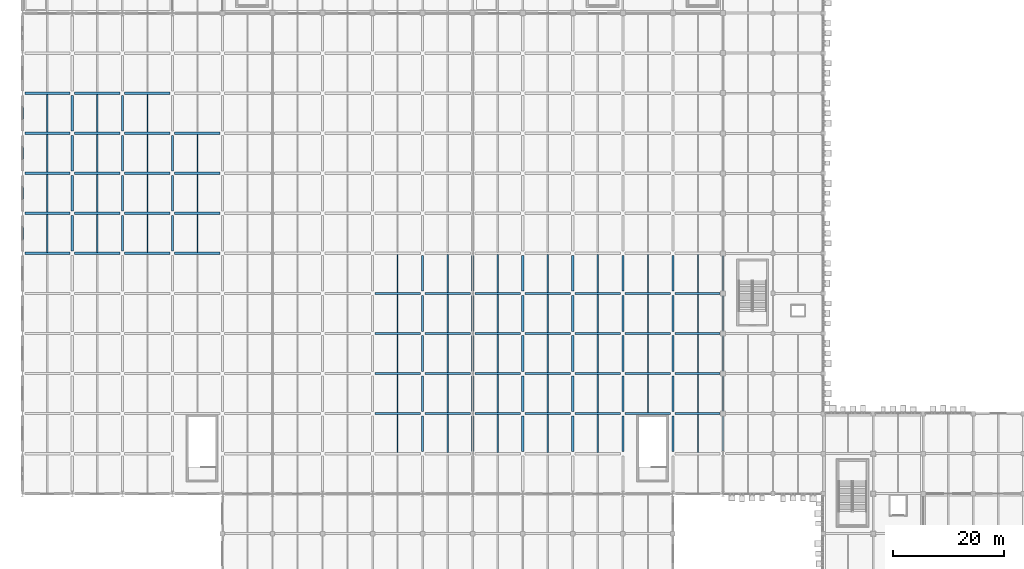
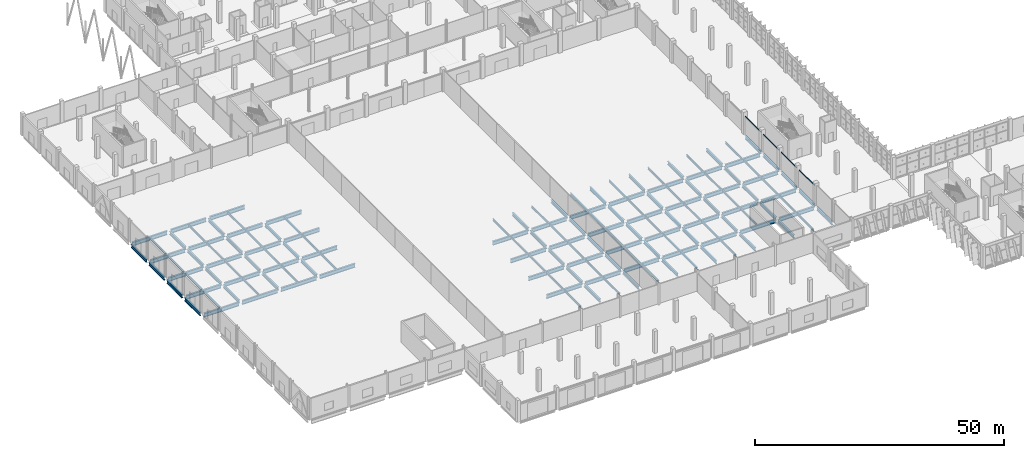
# One storey, part 21 of 137: 150 beams.
"""IFC4 building model written with IfcOpenShell, lengths in metres."""

import ifcopenshell
import ifcopenshell.guid

model = None  # the IFC model being written
_history = None  # IfcOwnerHistory: only IFC2X3 demands one
_inside = {}  # id of a spatial element -> (the spatial element, [elements in it])
_under = {}  # id of a project, library or spatial element -> (it, [spatial elements below it])
_declared = {}  # id of a project -> (the project, [libraries it declares])
_typed = {}  # id of a type object -> (the type object, [elements of that type])
_made_of = {}  # id of a material, layer set ... -> (it, [elements and type objects made of it])


def new_model(schema):
    """Start an empty IFC model of exactly this schema.

    Asked for "IFC4X3", IfcOpenShell would pick the latest addendum, in which some entities
    have other attributes; the version numbers below select the first issue.
    IFC2X3 requires an IfcOwnerHistory on every rooted entity: one is made here for all.
    """
    global model, _history
    if schema == "IFC4X3":
        model = ifcopenshell.file(schema_version=(4, 3, 0, 0))
    else:
        model = ifcopenshell.file(schema=schema)
    _inside.clear()
    _under.clear()
    _declared.clear()
    _typed.clear()
    _made_of.clear()
    _history = None
    if model.schema == "IFC2X3":
        org = make("IfcOrganization", Name="unknown")
        user = make(
            "IfcPersonAndOrganization",
            ThePerson=make("IfcPerson", FamilyName="unknown"),
            TheOrganization=org,
        )
        app = make(
            "IfcApplication",
            ApplicationDeveloper=org,
            Version="unknown",
            ApplicationFullName="unknown",
            ApplicationIdentifier="unknown",
        )
        _history = make(
            "IfcOwnerHistory",
            OwningUser=user,
            OwningApplication=app,
            ChangeAction="ADDED",
            CreationDate=0,
        )
    return model


def make(cls, **values):
    """One entity of the class cls with the attributes given. An attribute that is None is left unset."""
    return model.create_entity(
        cls, **{name: value for name, value in values.items() if value is not None}
    )


def rooted(cls, **values):
    """An entity with a GlobalId (a new one), such as an element, a storey or a relation."""
    return make(cls, GlobalId=ifcopenshell.guid.new(), OwnerHistory=_history, **values)


def si_unit(unit_type, name, prefix=None):
    """IfcSIUnit, for example si_unit("LENGTHUNIT", "METRE", prefix="MILLI")."""
    return make("IfcSIUnit", UnitType=unit_type, Prefix=prefix, Name=name)


def assignment(units):
    """IfcUnitAssignment: the units of a project."""
    return None if units is None else make("IfcUnitAssignment", Units=units)


def point(xyz):
    """IfcCartesianPoint."""
    return None if xyz is None else make("IfcCartesianPoint", Coordinates=xyz)


def direction(xyz):
    """IfcDirection."""
    return None if xyz is None else make("IfcDirection", DirectionRatios=xyz)


def frame(location, z_axis=None, x_axis=None):
    """IfcAxis2Placement3D, a coordinate frame: its origin and axes. An axis left out is left unset."""
    return make(
        "IfcAxis2Placement3D",
        Location=point(location),
        Axis=direction(z_axis),
        RefDirection=direction(x_axis),
    )


def frame_2d(location, x_axis=None):
    """IfcAxis2Placement2D, a coordinate frame in the plane: its origin and x axis."""
    return make(
        "IfcAxis2Placement2D", Location=point(location), RefDirection=direction(x_axis)
    )


def origin():
    """The frame at (0, 0, 0) with its axes left unset."""
    return frame((0.0, 0.0, 0.0))


def origin_2d():
    """The frame at (0, 0) in the plane with its x axis left unset."""
    return frame_2d((0.0, 0.0))


def place(relative_to, where):
    """IfcLocalPlacement: puts the frame where relative to a parent placement (None: the world)."""
    return make(
        "IfcLocalPlacement", PlacementRelTo=relative_to, RelativePlacement=where
    )


def context(
    kind, dimensions, precision=None, world=None, true_north=None, identifier=None
):
    """IfcGeometricRepresentationContext, for example the 3D "Model" context."""
    return make(
        "IfcGeometricRepresentationContext",
        ContextIdentifier=identifier,
        ContextType=kind,
        CoordinateSpaceDimension=dimensions,
        Precision=precision,
        WorldCoordinateSystem=world,
        TrueNorth=true_north,
    )


def subcontext(parent, identifier, kind, view, scale=None):
    """IfcGeometricRepresentationSubContext, for example "Body" below "Model"."""
    return make(
        "IfcGeometricRepresentationSubContext",
        ContextIdentifier=identifier,
        ContextType=kind,
        ParentContext=parent,
        TargetScale=scale,
        TargetView=view,
    )


def project(units=None, contexts=None):
    """IfcProject with its units and contexts."""
    return rooted(
        "IfcProject",
        Name="project",
        RepresentationContexts=contexts,
        UnitsInContext=assignment(units),
    )


def spatial(cls, under=None, at=None, **own):
    """A site, building, storey or space (cls), placed at a placement, below another one or the project."""
    s = rooted(cls, ObjectPlacement=at, **own)
    if under is not None:
        _under.setdefault(under.id(), (under, []))[1].append(s)
    return s


def profile(cls, at=None, kind="AREA", **sizes):
    """A parametric profile (cls). Its sizes go by their IFC names, for example OverallWidth=200.0."""
    return make(cls, ProfileType=kind, Position=at, **sizes)


def hollow_rectangle(**sizes):
    """IfcRectangleHollowProfileDef."""
    return profile("IfcRectangleHollowProfileDef", **sizes)


def i_section(**sizes):
    """IfcIShapeProfileDef."""
    return profile("IfcIShapeProfileDef", **sizes)


def extrude(swept, where, along, depth):
    """IfcExtrudedAreaSolid: the profile swept, set in the frame where, extruded along a direction by depth."""
    return make(
        "IfcExtrudedAreaSolid",
        SweptArea=swept,
        Position=where,
        ExtrudedDirection=direction(along),
        Depth=depth,
    )


def shape(context_of_items, identifier, shape_type, items):
    """IfcShapeRepresentation: the items that make up one representation, for example the "Body"."""
    return make(
        "IfcShapeRepresentation",
        ContextOfItems=context_of_items,
        RepresentationIdentifier=identifier,
        RepresentationType=shape_type,
        Items=items,
    )


def material(Name=None, Category=None):
    """IfcMaterial."""
    return make("IfcMaterial", Name=Name, Category=Category)


def material_profile(
    of_material, cross_section, Name=None, Category=None, Priority=None
):
    """IfcMaterialProfile: a cross section and its material."""
    return make(
        "IfcMaterialProfile",
        Name=Name,
        Material=of_material,
        Profile=cross_section,
        Priority=Priority,
        Category=Category,
    )


def profile_set(profiles, Name=None, composite=None):
    """IfcMaterialProfileSet."""
    return make(
        "IfcMaterialProfileSet",
        Name=Name,
        MaterialProfiles=profiles,
        CompositeProfile=composite,
    )


def made_of(thing, what):
    """Note that an element or type object is made of a material, layer set ...; save() writes the relation."""
    if what is not None:
        _made_of.setdefault(what.id(), (what, []))[1].append(thing)
    return thing


def type_object(cls, material=None, **own):
    """A type object (cls), such as IfcWallType, which elements share."""
    return made_of(rooted(cls, **own), material)


def element(
    cls,
    number,
    at=None,
    inside=None,
    cuts=None,
    type_object=None,
    material=None,
    context=None,
    identifier="Body",
    shape_type=None,
    held_by="IfcProductDefinitionShape",
    body=None,
    shapes=None,
    **own,
):
    """One element of the class cls, such as IfcWall. Its Tag is "e" and its number.

    at: its placement. inside: the storey or other place that contains it. cuts: it is an
    opening in that element (IfcRelVoidsElement). A single representation is given by context,
    identifier, shape_type and body (its items); several are given by shapes. held_by: the class
    of the entity that holds the representations. save() writes the other relations.
    """
    e = rooted(cls, Tag="e%d" % number, ObjectPlacement=at, **own)
    if body is not None:
        shapes = [shape(context, identifier, shape_type, body)]
    if shapes is not None:
        e.Representation = make(held_by, Representations=shapes)
    if inside is not None:
        _inside.setdefault(inside.id(), (inside, []))[1].append(e)
    if cuts is not None:
        rooted(
            "IfcRelVoidsElement", RelatingBuildingElement=cuts, RelatedOpeningElement=e
        )
    if type_object is not None:
        _typed.setdefault(type_object.id(), (type_object, []))[1].append(e)
    return made_of(e, material)


def aggregate(whole, parts):
    """IfcRelAggregates: a whole, such as a stair, and the parts it consists of."""
    return rooted("IfcRelAggregates", RelatingObject=whole, RelatedObjects=parts)


def save(model, path):
    """Write the relations noted so far, then the file.

    IfcRelAggregates (storeys below a building ...), IfcRelContainedInSpatialStructure (elements
    in a storey), IfcRelDefinesByType, IfcRelAssociatesMaterial and IfcRelDeclares: one each for
    every whole, place, type object, material and project.
    """
    for whole, parts in _under.values():
        aggregate(whole, parts)
    for where, things in _inside.values():
        rooted(
            "IfcRelContainedInSpatialStructure",
            RelatedElements=things,
            RelatingStructure=where,
        )
    for kind, things in _typed.values():
        rooted("IfcRelDefinesByType", RelatedObjects=things, RelatingType=kind)
    for what, things in _made_of.values():
        rooted("IfcRelAssociatesMaterial", RelatedObjects=things, RelatingMaterial=what)
    for by, libraries in _declared.values():
        rooted("IfcRelDeclares", RelatingContext=by, RelatedDefinitions=libraries)
    model.write(path)


model = new_model("IFC4")

# Units and contexts
model_context = context("Model", 3, precision=1e-05, world=origin(), true_north=direction((0.0, 1.0)))
body_context = subcontext(model_context, "Body", "Model", "MODEL_VIEW")
ifc_project = project(units=[si_unit("LENGTHUNIT", "METRE"), si_unit("AREAUNIT", "SQUARE_METRE"), si_unit("VOLUMEUNIT", "CUBIC_METRE"), si_unit("PLANEANGLEUNIT", "RADIAN"), si_unit("MASSUNIT", "GRAM", prefix="KILO")], contexts=[model_context])

# Site, building, storey
site_placement = place(None, origin())
site = spatial("IfcSite", under=ifc_project, at=site_placement, CompositionType="ELEMENT")
building_placement = place(site_placement, origin())
building = spatial("IfcBuilding", under=site, at=building_placement, Name="Celestram Park Convention Centre", CompositionType="ELEMENT")
storey_placement = place(building_placement, origin())
storey = spatial("IfcBuildingStorey", under=building, at=storey_placement, Name="L00", CompositionType="ELEMENT", Elevation=0.0)

# Beams
ifc_material_1 = material(Name="Steel ASTM A992 Grade 50", Category="steel")
ifc_material_profile_1 = material_profile(ifc_material_1, i_section(OverallWidth=0.381103515625, OverallDepth=0.77197265625, WebThickness=0.0166015625, FlangeThickness=0.027099609375, at=origin_2d()), Name="W30X173")
ifc_profile_set_1 = profile_set([ifc_material_profile_1], Name="Steel ASTM A992 Grade 50")
beam_type_1 = type_object("IfcBeamType", Name="STR-BM-W30X173", PredefinedType="BEAM", material=ifc_profile_set_1)
for number, where, z_axis, x_axis, name in (
    (1, (0.0, 65.298095703125, -0.74609375), (0.0, 1.0, 0.0), (-1.0, 0.0, 0.0), "Primary Y-girder BG-L00-0014"),
    (2, (0.0, 72.498046875, -0.74609375), (0.0, 1.0, 0.0), (-1.0, 0.0, 0.0), "Primary Y-girder BG-L00-0016"),
):
    element("IfcBeam", number, at=place(storey_placement, frame(where, z_axis=z_axis, x_axis=x_axis)), inside=storey, type_object=beam_type_1, Name=name, PredefinedType="BEAM", context=body_context, shape_type="SweptSolid", body=[
        extrude(i_section(OverallWidth=0.381103515625, OverallDepth=0.77197265625, WebThickness=0.0166015625, FlangeThickness=0.027099609375, at=origin_2d()), origin(), (0.0, 0.0, 1.0), 6.203857421875),
    ])
for number, where, z_axis, x_axis, name in (
    (3, (0.0, 79.697998046875, -0.74609375), (0.0, 1.0, 0.0), (-1.0, 0.0, 0.0), "Primary Y-girder BG-L00-0018"),
    (4, (0.0, 86.89794921875, -0.74609375), (0.0, 1.0, 0.0), (-1.0, 0.0, 0.0), "Primary Y-girder BG-L00-0020"),
):
    element("IfcBeam", number, at=place(storey_placement, frame(where, z_axis=z_axis, x_axis=x_axis)), inside=storey, type_object=beam_type_1, Name=name, PredefinedType="BEAM", context=body_context, shape_type="SweptSolid", body=[
        extrude(i_section(OverallWidth=0.381103515625, OverallDepth=0.77197265625, WebThickness=0.0166015625, FlangeThickness=0.027099609375, at=origin_2d()), origin(), (0.0, 0.0, 1.0), 6.2041015625),
    ])
for number, where, z_axis, x_axis, name in (
    (5, (9.0, 65.197998046875, -0.74609375), (0.0, 1.0, 0.0), (-1.0, 0.0, 0.0), "Primary Y-girder BG-L00-0047"),
    (6, (9.0, 72.39794921875, -0.74609375), (0.0, 1.0, 0.0), (-1.0, 0.0, 0.0), "Primary Y-girder BG-L00-0049"),
    (7, (9.0, 79.597900390625, -0.74609375), (0.0, 1.0, 0.0), (-1.0, 0.0, 0.0), "Primary Y-girder BG-L00-0051"),
):
    element("IfcBeam", number, at=place(storey_placement, frame(where, z_axis=z_axis, x_axis=x_axis)), inside=storey, type_object=beam_type_1, Name=name, PredefinedType="BEAM", context=body_context, shape_type="SweptSolid", body=[
        extrude(i_section(OverallWidth=0.381103515625, OverallDepth=0.77197265625, WebThickness=0.0166015625, FlangeThickness=0.027099609375, at=origin_2d()), origin(), (0.0, 0.0, 1.0), 6.404052734375),
    ])
beam_1_placement = place(storey_placement, frame((9.0, 86.798095703125, -0.74609375), z_axis=(0.0, 1.0, 0.0), x_axis=(-1.0, 0.0, 0.0)))
element("IfcBeam", 8, at=beam_1_placement, inside=storey, type_object=beam_type_1, Name="Primary Y-girder BG-L00-0053", PredefinedType="BEAM", context=body_context, shape_type="SweptSolid", body=[
    extrude(i_section(OverallWidth=0.381103515625, OverallDepth=0.77197265625, WebThickness=0.0166015625, FlangeThickness=0.027099609375, at=origin_2d()), origin(), (0.0, 0.0, 1.0), 6.40380859375),
])
for number, where, z_axis, x_axis, name in (
    (9, (18.0, 65.197998046875, -0.74609375), (0.0, 1.0, 0.0), (-1.0, 0.0, 0.0), "Primary Y-girder BG-L00-0079"),
    (10, (18.0, 72.39794921875, -0.74609375), (0.0, 1.0, 0.0), (-1.0, 0.0, 0.0), "Primary Y-girder BG-L00-0081"),
    (11, (18.0, 79.597900390625, -0.74609375), (0.0, 1.0, 0.0), (-1.0, 0.0, 0.0), "Primary Y-girder BG-L00-0083"),
):
    element("IfcBeam", number, at=place(storey_placement, frame(where, z_axis=z_axis, x_axis=x_axis)), inside=storey, type_object=beam_type_1, Name=name, PredefinedType="BEAM", context=body_context, shape_type="SweptSolid", body=[
        extrude(i_section(OverallWidth=0.381103515625, OverallDepth=0.77197265625, WebThickness=0.0166015625, FlangeThickness=0.027099609375, at=origin_2d()), origin(), (0.0, 0.0, 1.0), 6.404052734375),
    ])
beam_2_placement = place(storey_placement, frame((18.0, 86.798095703125, -0.74609375), z_axis=(0.0, 1.0, 0.0), x_axis=(-1.0, 0.0, 0.0)))
element("IfcBeam", 12, at=beam_2_placement, inside=storey, type_object=beam_type_1, Name="Primary Y-girder BG-L00-0085", PredefinedType="BEAM", context=body_context, shape_type="SweptSolid", body=[
    extrude(i_section(OverallWidth=0.381103515625, OverallDepth=0.77197265625, WebThickness=0.0166015625, FlangeThickness=0.027099609375, at=origin_2d()), origin(), (0.0, 0.0, 1.0), 6.40380859375),
])
for number, where, z_axis, x_axis, name in (
    (13, (27.0, 65.197998046875, -0.74609375), (0.0, 1.0, 0.0), (-1.0, 0.0, 0.0), "Primary Y-girder BG-L00-0111"),
    (14, (27.0, 72.39794921875, -0.74609375), (0.0, 1.0, 0.0), (-1.0, 0.0, 0.0), "Primary Y-girder BG-L00-0113"),
    (15, (27.0, 79.597900390625, -0.74609375), (0.0, 1.0, 0.0), (-1.0, 0.0, 0.0), "Primary Y-girder BG-L00-0115"),
    (16, (72.0, 29.197998046875, -0.74609375), (0.0, 1.0, 0.0), (-1.0, 0.0, 0.0), "Primary Y-girder BG-L00-0323"),
    (17, (72.0, 36.39794921875, -0.74609375), (0.0, 1.0, 0.0), (-1.0, 0.0, 0.0), "Primary Y-girder BG-L00-0325"),
    (18, (72.0, 43.597900390625, -0.74609375), (0.0, 1.0, 0.0), (-1.0, 0.0, 0.0), "Primary Y-girder BG-L00-0327"),
):
    element("IfcBeam", number, at=place(storey_placement, frame(where, z_axis=z_axis, x_axis=x_axis)), inside=storey, type_object=beam_type_1, Name=name, PredefinedType="BEAM", context=body_context, shape_type="SweptSolid", body=[
        extrude(i_section(OverallWidth=0.381103515625, OverallDepth=0.77197265625, WebThickness=0.0166015625, FlangeThickness=0.027099609375, at=origin_2d()), origin(), (0.0, 0.0, 1.0), 6.404052734375),
    ])
beam_3_placement = place(storey_placement, frame((72.0, 50.798095703125, -0.74609375), z_axis=(0.0, 1.0, 0.0), x_axis=(-1.0, 0.0, 0.0)))
element("IfcBeam", 19, at=beam_3_placement, inside=storey, type_object=beam_type_1, Name="Primary Y-girder BG-L00-0329", PredefinedType="BEAM", context=body_context, shape_type="SweptSolid", body=[
    extrude(i_section(OverallWidth=0.381103515625, OverallDepth=0.77197265625, WebThickness=0.0166015625, FlangeThickness=0.027099609375, at=origin_2d()), origin(), (0.0, 0.0, 1.0), 6.40380859375),
])
for number, where, z_axis, x_axis, name in (
    (20, (72.0, 57.998046875, -0.74609375), (0.0, 1.0, 0.0), (-1.0, 0.0, 0.0), "Primary Y-girder BG-L00-0331"),
    (21, (81.0, 29.197998046875, -0.74609375), (0.0, 1.0, 0.0), (-1.0, 0.0, 0.0), "Primary Y-girder BG-L00-0370"),
    (22, (81.0, 36.39794921875, -0.74609375), (0.0, 1.0, 0.0), (-1.0, 0.0, 0.0), "Primary Y-girder BG-L00-0372"),
    (23, (81.0, 43.597900390625, -0.74609375), (0.0, 1.0, 0.0), (-1.0, 0.0, 0.0), "Primary Y-girder BG-L00-0374"),
):
    element("IfcBeam", number, at=place(storey_placement, frame(where, z_axis=z_axis, x_axis=x_axis)), inside=storey, type_object=beam_type_1, Name=name, PredefinedType="BEAM", context=body_context, shape_type="SweptSolid", body=[
        extrude(i_section(OverallWidth=0.381103515625, OverallDepth=0.77197265625, WebThickness=0.0166015625, FlangeThickness=0.027099609375, at=origin_2d()), origin(), (0.0, 0.0, 1.0), 6.404052734375),
    ])
beam_4_placement = place(storey_placement, frame((81.0, 50.798095703125, -0.74609375), z_axis=(0.0, 1.0, 0.0), x_axis=(-1.0, 0.0, 0.0)))
element("IfcBeam", 24, at=beam_4_placement, inside=storey, type_object=beam_type_1, Name="Primary Y-girder BG-L00-0376", PredefinedType="BEAM", context=body_context, shape_type="SweptSolid", body=[
    extrude(i_section(OverallWidth=0.381103515625, OverallDepth=0.77197265625, WebThickness=0.0166015625, FlangeThickness=0.027099609375, at=origin_2d()), origin(), (0.0, 0.0, 1.0), 6.40380859375),
])
for number, where, z_axis, x_axis, name in (
    (25, (81.0, 57.998046875, -0.74609375), (0.0, 1.0, 0.0), (-1.0, 0.0, 0.0), "Primary Y-girder BG-L00-0378"),
    (26, (90.0, 29.197998046875, -0.74609375), (0.0, 1.0, 0.0), (-1.0, 0.0, 0.0), "Primary Y-girder BG-L00-0415"),
    (27, (90.0, 36.39794921875, -0.74609375), (0.0, 1.0, 0.0), (-1.0, 0.0, 0.0), "Primary Y-girder BG-L00-0417"),
    (28, (90.0, 43.597900390625, -0.74609375), (0.0, 1.0, 0.0), (-1.0, 0.0, 0.0), "Primary Y-girder BG-L00-0419"),
):
    element("IfcBeam", number, at=place(storey_placement, frame(where, z_axis=z_axis, x_axis=x_axis)), inside=storey, type_object=beam_type_1, Name=name, PredefinedType="BEAM", context=body_context, shape_type="SweptSolid", body=[
        extrude(i_section(OverallWidth=0.381103515625, OverallDepth=0.77197265625, WebThickness=0.0166015625, FlangeThickness=0.027099609375, at=origin_2d()), origin(), (0.0, 0.0, 1.0), 6.404052734375),
    ])
beam_5_placement = place(storey_placement, frame((90.0, 50.798095703125, -0.74609375), z_axis=(0.0, 1.0, 0.0), x_axis=(-1.0, 0.0, 0.0)))
element("IfcBeam", 29, at=beam_5_placement, inside=storey, type_object=beam_type_1, Name="Primary Y-girder BG-L00-0421", PredefinedType="BEAM", context=body_context, shape_type="SweptSolid", body=[
    extrude(i_section(OverallWidth=0.381103515625, OverallDepth=0.77197265625, WebThickness=0.0166015625, FlangeThickness=0.027099609375, at=origin_2d()), origin(), (0.0, 0.0, 1.0), 6.40380859375),
])
for number, where, z_axis, x_axis, name in (
    (30, (90.0, 57.998046875, -0.74609375), (0.0, 1.0, 0.0), (-1.0, 0.0, 0.0), "Primary Y-girder BG-L00-0423"),
    (31, (99.0, 29.197998046875, -0.74609375), (0.0, 1.0, 0.0), (-1.0, 0.0, 0.0), "Primary Y-girder BG-L00-0460"),
    (32, (99.0, 36.39794921875, -0.74609375), (0.0, 1.0, 0.0), (-1.0, 0.0, 0.0), "Primary Y-girder BG-L00-0462"),
    (33, (99.0, 43.597900390625, -0.74609375), (0.0, 1.0, 0.0), (-1.0, 0.0, 0.0), "Primary Y-girder BG-L00-0464"),
):
    element("IfcBeam", number, at=place(storey_placement, frame(where, z_axis=z_axis, x_axis=x_axis)), inside=storey, type_object=beam_type_1, Name=name, PredefinedType="BEAM", context=body_context, shape_type="SweptSolid", body=[
        extrude(i_section(OverallWidth=0.381103515625, OverallDepth=0.77197265625, WebThickness=0.0166015625, FlangeThickness=0.027099609375, at=origin_2d()), origin(), (0.0, 0.0, 1.0), 6.404052734375),
    ])
beam_6_placement = place(storey_placement, frame((99.0, 50.798095703125, -0.74609375), z_axis=(0.0, 1.0, 0.0), x_axis=(-1.0, 0.0, 0.0)))
element("IfcBeam", 34, at=beam_6_placement, inside=storey, type_object=beam_type_1, Name="Primary Y-girder BG-L00-0466", PredefinedType="BEAM", context=body_context, shape_type="SweptSolid", body=[
    extrude(i_section(OverallWidth=0.381103515625, OverallDepth=0.77197265625, WebThickness=0.0166015625, FlangeThickness=0.027099609375, at=origin_2d()), origin(), (0.0, 0.0, 1.0), 6.40380859375),
])
for number, where, z_axis, x_axis, name in (
    (35, (99.0, 57.998046875, -0.74609375), (0.0, 1.0, 0.0), (-1.0, 0.0, 0.0), "Primary Y-girder BG-L00-0468"),
    (36, (108.0, 29.197998046875, -0.74609375), (0.0, 1.0, 0.0), (-1.0, 0.0, 0.0), "Primary Y-girder BG-L00-0505"),
    (37, (108.0, 36.39794921875, -0.74609375), (0.0, 1.0, 0.0), (-1.0, 0.0, 0.0), "Primary Y-girder BG-L00-0507"),
    (38, (108.0, 43.597900390625, -0.74609375), (0.0, 1.0, 0.0), (-1.0, 0.0, 0.0), "Primary Y-girder BG-L00-0509"),
):
    element("IfcBeam", number, at=place(storey_placement, frame(where, z_axis=z_axis, x_axis=x_axis)), inside=storey, type_object=beam_type_1, Name=name, PredefinedType="BEAM", context=body_context, shape_type="SweptSolid", body=[
        extrude(i_section(OverallWidth=0.381103515625, OverallDepth=0.77197265625, WebThickness=0.0166015625, FlangeThickness=0.027099609375, at=origin_2d()), origin(), (0.0, 0.0, 1.0), 6.404052734375),
    ])
beam_7_placement = place(storey_placement, frame((108.0, 50.798095703125, -0.74609375), z_axis=(0.0, 1.0, 0.0), x_axis=(-1.0, 0.0, 0.0)))
element("IfcBeam", 39, at=beam_7_placement, inside=storey, type_object=beam_type_1, Name="Primary Y-girder BG-L00-0511", PredefinedType="BEAM", context=body_context, shape_type="SweptSolid", body=[
    extrude(i_section(OverallWidth=0.381103515625, OverallDepth=0.77197265625, WebThickness=0.0166015625, FlangeThickness=0.027099609375, at=origin_2d()), origin(), (0.0, 0.0, 1.0), 6.40380859375),
])
for number, where, z_axis, x_axis, name in (
    (40, (108.0, 57.998046875, -0.74609375), (0.0, 1.0, 0.0), (-1.0, 0.0, 0.0), "Primary Y-girder BG-L00-0513"),
    (41, (117.0, 29.197998046875, -0.74609375), (0.0, 1.0, 0.0), (-1.0, 0.0, 0.0), "Primary Y-girder BG-L00-0546"),
    (42, (117.0, 36.39794921875, -0.74609375), (0.0, 1.0, 0.0), (-1.0, 0.0, 0.0), "Primary Y-girder BG-L00-0548"),
    (43, (117.0, 43.597900390625, -0.74609375), (0.0, 1.0, 0.0), (-1.0, 0.0, 0.0), "Primary Y-girder BG-L00-0550"),
):
    element("IfcBeam", number, at=place(storey_placement, frame(where, z_axis=z_axis, x_axis=x_axis)), inside=storey, type_object=beam_type_1, Name=name, PredefinedType="BEAM", context=body_context, shape_type="SweptSolid", body=[
        extrude(i_section(OverallWidth=0.381103515625, OverallDepth=0.77197265625, WebThickness=0.0166015625, FlangeThickness=0.027099609375, at=origin_2d()), origin(), (0.0, 0.0, 1.0), 6.404052734375),
    ])
beam_8_placement = place(storey_placement, frame((117.0, 50.798095703125, -0.74609375), z_axis=(0.0, 1.0, 0.0), x_axis=(-1.0, 0.0, 0.0)))
element("IfcBeam", 44, at=beam_8_placement, inside=storey, type_object=beam_type_1, Name="Primary Y-girder BG-L00-0552", PredefinedType="BEAM", context=body_context, shape_type="SweptSolid", body=[
    extrude(i_section(OverallWidth=0.381103515625, OverallDepth=0.77197265625, WebThickness=0.0166015625, FlangeThickness=0.027099609375, at=origin_2d()), origin(), (0.0, 0.0, 1.0), 6.40380859375),
])
beam_9_placement = place(storey_placement, frame((117.0, 57.998046875, -0.74609375), z_axis=(0.0, 1.0, 0.0), x_axis=(-1.0, 0.0, 0.0)))
element("IfcBeam", 45, at=beam_9_placement, inside=storey, type_object=beam_type_1, Name="Primary Y-girder BG-L00-0554", PredefinedType="BEAM", context=body_context, shape_type="SweptSolid", body=[
    extrude(i_section(OverallWidth=0.381103515625, OverallDepth=0.77197265625, WebThickness=0.0166015625, FlangeThickness=0.027099609375, at=origin_2d()), origin(), (0.0, 0.0, 1.0), 6.404052734375),
])
for number, where, z_axis, x_axis, name in (
    (46, (126.0, 29.298095703125, -0.74609375), (0.0, 1.0, 0.0), (-1.0, 0.0, 0.0), "Primary Y-girder BG-L00-0586"),
    (47, (126.0, 36.498046875, -0.74609375), (0.0, 1.0, 0.0), (-1.0, 0.0, 0.0), "Primary Y-girder BG-L00-0588"),
):
    element("IfcBeam", number, at=place(storey_placement, frame(where, z_axis=z_axis, x_axis=x_axis)), inside=storey, type_object=beam_type_1, Name=name, PredefinedType="BEAM", context=body_context, shape_type="SweptSolid", body=[
        extrude(i_section(OverallWidth=0.381103515625, OverallDepth=0.77197265625, WebThickness=0.0166015625, FlangeThickness=0.027099609375, at=origin_2d()), origin(), (0.0, 0.0, 1.0), 6.203857421875),
    ])
for number, where, z_axis, x_axis, name in (
    (48, (126.0, 43.697998046875, -0.74609375), (0.0, 1.0, 0.0), (-1.0, 0.0, 0.0), "Primary Y-girder BG-L00-0590"),
    (49, (126.0, 50.89794921875, -0.74609375), (0.0, 1.0, 0.0), (-1.0, 0.0, 0.0), "Primary Y-girder BG-L00-0592"),
    (50, (126.0, 58.097900390625, -0.74609375), (0.0, 1.0, 0.0), (-1.0, 0.0, 0.0), "Primary Y-girder BG-L00-0593"),
):
    element("IfcBeam", number, at=place(storey_placement, frame(where, z_axis=z_axis, x_axis=x_axis)), inside=storey, type_object=beam_type_1, Name=name, PredefinedType="BEAM", context=body_context, shape_type="SweptSolid", body=[
        extrude(i_section(OverallWidth=0.381103515625, OverallDepth=0.77197265625, WebThickness=0.0166015625, FlangeThickness=0.027099609375, at=origin_2d()), origin(), (0.0, 0.0, 1.0), 6.2041015625),
    ])
ifc_material_profile_2 = material_profile(ifc_material_1, i_section(OverallWidth=0.4189453125, OverallDepth=0.927001953125, WebThickness=0.019287109375, FlangeThickness=0.031982421875, at=origin_2d()), Name="W36X231")
ifc_profile_set_2 = profile_set([ifc_material_profile_2], Name="Steel ASTM A992 Grade 50")
beam_type_2 = type_object("IfcBeamType", Name="STR-BM-W36X231", PredefinedType="BEAM", material=ifc_profile_set_2)
for number, where, z_axis, x_axis, name in (
    (51, (0.498046875, 64.800048828125, -0.823486328125), (1.0, 0.0, 0.0), (0.0, 1.0, 0.0), "Primary X-girder BG-L00-0013"),
    (52, (0.498046875, 72.0, -0.823486328125), (1.0, 0.0, 0.0), (0.0, 1.0, 0.0), "Primary X-girder BG-L00-0015"),
    (53, (0.498046875, 79.199951171875, -0.823486328125), (1.0, 0.0, 0.0), (0.0, 1.0, 0.0), "Primary X-girder BG-L00-0017"),
    (54, (0.498046875, 86.39990234375, -0.823486328125), (1.0, 0.0, 0.0), (0.0, 1.0, 0.0), "Primary X-girder BG-L00-0019"),
    (55, (0.498046875, 93.60009765625, -0.823486328125), (1.0, 0.0, 0.0), (0.0, 1.0, 0.0), "Primary X-girder BG-L00-0021"),
):
    element("IfcBeam", number, at=place(storey_placement, frame(where, z_axis=z_axis, x_axis=x_axis)), inside=storey, type_object=beam_type_2, Name=name, PredefinedType="BEAM", context=body_context, shape_type="SweptSolid", body=[
        extrude(i_section(OverallWidth=0.4189453125, OverallDepth=0.927001953125, WebThickness=0.019287109375, FlangeThickness=0.031982421875, at=origin_2d()), origin(), (0.0, 0.0, 1.0), 8.10400390625),
    ])
for number, where, z_axis, x_axis, name in (
    (56, (9.39794921875, 64.800048828125, -0.823486328125), (1.0, 0.0, 0.0), (0.0, 1.0, 0.0), "Primary X-girder BG-L00-0046"),
    (57, (9.39794921875, 72.0, -0.823486328125), (1.0, 0.0, 0.0), (0.0, 1.0, 0.0), "Primary X-girder BG-L00-0048"),
    (58, (9.39794921875, 79.199951171875, -0.823486328125), (1.0, 0.0, 0.0), (0.0, 1.0, 0.0), "Primary X-girder BG-L00-0050"),
    (59, (9.39794921875, 86.39990234375, -0.823486328125), (1.0, 0.0, 0.0), (0.0, 1.0, 0.0), "Primary X-girder BG-L00-0052"),
    (60, (9.39794921875, 93.60009765625, -0.823486328125), (1.0, 0.0, 0.0), (0.0, 1.0, 0.0), "Primary X-girder BG-L00-0054"),
    (61, (18.39794921875, 64.800048828125, -0.823486328125), (1.0, 0.0, 0.0), (0.0, 1.0, 0.0), "Primary X-girder BG-L00-0078"),
    (62, (18.39794921875, 72.0, -0.823486328125), (1.0, 0.0, 0.0), (0.0, 1.0, 0.0), "Primary X-girder BG-L00-0080"),
    (63, (18.39794921875, 79.199951171875, -0.823486328125), (1.0, 0.0, 0.0), (0.0, 1.0, 0.0), "Primary X-girder BG-L00-0082"),
    (64, (18.39794921875, 86.39990234375, -0.823486328125), (1.0, 0.0, 0.0), (0.0, 1.0, 0.0), "Primary X-girder BG-L00-0084"),
    (65, (18.39794921875, 93.60009765625, -0.823486328125), (1.0, 0.0, 0.0), (0.0, 1.0, 0.0), "Primary X-girder BG-L00-0086"),
    (66, (27.39794921875, 64.800048828125, -0.823486328125), (1.0, 0.0, 0.0), (0.0, 1.0, 0.0), "Primary X-girder BG-L00-0110"),
    (67, (27.39794921875, 72.0, -0.823486328125), (1.0, 0.0, 0.0), (0.0, 1.0, 0.0), "Primary X-girder BG-L00-0112"),
    (68, (27.39794921875, 79.199951171875, -0.823486328125), (1.0, 0.0, 0.0), (0.0, 1.0, 0.0), "Primary X-girder BG-L00-0114"),
    (69, (27.39794921875, 86.39990234375, -0.823486328125), (1.0, 0.0, 0.0), (0.0, 1.0, 0.0), "Primary X-girder BG-L00-0116"),
    (70, (63.39794921875, 36.0, -0.823486328125), (1.0, 0.0, 0.0), (0.0, 1.0, 0.0), "Primary X-girder BG-L00-0279"),
    (71, (63.39794921875, 43.199951171875, -0.823486328125), (1.0, 0.0, 0.0), (0.0, 1.0, 0.0), "Primary X-girder BG-L00-0281"),
    (72, (63.39794921875, 50.39990234375, -0.823486328125), (1.0, 0.0, 0.0), (0.0, 1.0, 0.0), "Primary X-girder BG-L00-0283"),
    (73, (63.39794921875, 57.60009765625, -0.823486328125), (1.0, 0.0, 0.0), (0.0, 1.0, 0.0), "Primary X-girder BG-L00-0285"),
    (74, (72.39794921875, 36.0, -0.823486328125), (1.0, 0.0, 0.0), (0.0, 1.0, 0.0), "Primary X-girder BG-L00-0324"),
    (75, (72.39794921875, 43.199951171875, -0.823486328125), (1.0, 0.0, 0.0), (0.0, 1.0, 0.0), "Primary X-girder BG-L00-0326"),
    (76, (72.39794921875, 50.39990234375, -0.823486328125), (1.0, 0.0, 0.0), (0.0, 1.0, 0.0), "Primary X-girder BG-L00-0328"),
    (77, (72.39794921875, 57.60009765625, -0.823486328125), (1.0, 0.0, 0.0), (0.0, 1.0, 0.0), "Primary X-girder BG-L00-0330"),
    (78, (81.39794921875, 36.0, -0.823486328125), (1.0, 0.0, 0.0), (0.0, 1.0, 0.0), "Primary X-girder BG-L00-0371"),
    (79, (81.39794921875, 43.199951171875, -0.823486328125), (1.0, 0.0, 0.0), (0.0, 1.0, 0.0), "Primary X-girder BG-L00-0373"),
    (80, (81.39794921875, 50.39990234375, -0.823486328125), (1.0, 0.0, 0.0), (0.0, 1.0, 0.0), "Primary X-girder BG-L00-0375"),
    (81, (81.39794921875, 57.60009765625, -0.823486328125), (1.0, 0.0, 0.0), (0.0, 1.0, 0.0), "Primary X-girder BG-L00-0377"),
    (82, (90.39794921875, 36.0, -0.823486328125), (1.0, 0.0, 0.0), (0.0, 1.0, 0.0), "Primary X-girder BG-L00-0416"),
    (83, (90.39794921875, 43.199951171875, -0.823486328125), (1.0, 0.0, 0.0), (0.0, 1.0, 0.0), "Primary X-girder BG-L00-0418"),
    (84, (90.39794921875, 50.39990234375, -0.823486328125), (1.0, 0.0, 0.0), (0.0, 1.0, 0.0), "Primary X-girder BG-L00-0420"),
    (85, (90.39794921875, 57.60009765625, -0.823486328125), (1.0, 0.0, 0.0), (0.0, 1.0, 0.0), "Primary X-girder BG-L00-0422"),
    (86, (99.39794921875, 36.0, -0.823486328125), (1.0, 0.0, 0.0), (0.0, 1.0, 0.0), "Primary X-girder BG-L00-0461"),
    (87, (99.39794921875, 43.199951171875, -0.823486328125), (1.0, 0.0, 0.0), (0.0, 1.0, 0.0), "Primary X-girder BG-L00-0463"),
    (88, (99.39794921875, 50.39990234375, -0.823486328125), (1.0, 0.0, 0.0), (0.0, 1.0, 0.0), "Primary X-girder BG-L00-0465"),
    (89, (99.39794921875, 57.60009765625, -0.823486328125), (1.0, 0.0, 0.0), (0.0, 1.0, 0.0), "Primary X-girder BG-L00-0467"),
    (90, (108.39794921875, 36.0, -0.823486328125), (1.0, 0.0, 0.0), (0.0, 1.0, 0.0), "Primary X-girder BG-L00-0506"),
    (91, (108.39794921875, 43.199951171875, -0.823486328125), (1.0, 0.0, 0.0), (0.0, 1.0, 0.0), "Primary X-girder BG-L00-0508"),
    (92, (108.39794921875, 50.39990234375, -0.823486328125), (1.0, 0.0, 0.0), (0.0, 1.0, 0.0), "Primary X-girder BG-L00-0510"),
    (93, (108.39794921875, 57.60009765625, -0.823486328125), (1.0, 0.0, 0.0), (0.0, 1.0, 0.0), "Primary X-girder BG-L00-0512"),
):
    element("IfcBeam", number, at=place(storey_placement, frame(where, z_axis=z_axis, x_axis=x_axis)), inside=storey, type_object=beam_type_2, Name=name, PredefinedType="BEAM", context=body_context, shape_type="SweptSolid", body=[
        extrude(i_section(OverallWidth=0.4189453125, OverallDepth=0.927001953125, WebThickness=0.019287109375, FlangeThickness=0.031982421875, at=origin_2d()), origin(), (0.0, 0.0, 1.0), 8.2041015625),
    ])
for number, where, z_axis, x_axis, name in (
    (94, (117.39794921875, 36.0, -0.823486328125), (1.0, 0.0, 0.0), (0.0, 1.0, 0.0), "Primary X-girder BG-L00-0547"),
    (95, (117.39794921875, 43.199951171875, -0.823486328125), (1.0, 0.0, 0.0), (0.0, 1.0, 0.0), "Primary X-girder BG-L00-0549"),
    (96, (117.39794921875, 50.39990234375, -0.823486328125), (1.0, 0.0, 0.0), (0.0, 1.0, 0.0), "Primary X-girder BG-L00-0551"),
    (97, (117.39794921875, 57.60009765625, -0.823486328125), (1.0, 0.0, 0.0), (0.0, 1.0, 0.0), "Primary X-girder BG-L00-0553"),
):
    element("IfcBeam", number, at=place(storey_placement, frame(where, z_axis=z_axis, x_axis=x_axis)), inside=storey, type_object=beam_type_2, Name=name, PredefinedType="BEAM", context=body_context, shape_type="SweptSolid", body=[
        extrude(i_section(OverallWidth=0.4189453125, OverallDepth=0.927001953125, WebThickness=0.019287109375, FlangeThickness=0.031982421875, at=origin_2d()), origin(), (0.0, 0.0, 1.0), 8.10400390625),
    ])
ifc_material_profile_3 = material_profile(ifc_material_1, i_section(OverallWidth=0.214111328125, OverallDepth=0.549072265625, WebThickness=0.0146484375, FlangeThickness=0.023681640625, at=origin_2d()), Name="W21X93")
ifc_profile_set_3 = profile_set([ifc_material_profile_3], Name="Steel ASTM A992 Grade 50")
beam_type_3 = type_object("IfcBeamType", Name="STR-JST-W21X93", PredefinedType="JOIST", material=ifc_profile_set_3)
for number, where, z_axis, x_axis, name in (
    (98, (4.5, 65.0048828125, -0.634521484375), (0.0, 1.0, 0.0), (-1.0, 0.0, 0.0), "Secondary composite joist BG-L00-0886"),
    (99, (4.5, 72.205078125, -0.634521484375), (0.0, 1.0, 0.0), (-1.0, 0.0, 0.0), "Secondary composite joist BG-L00-0887"),
    (100, (4.5, 79.405029296875, -0.634521484375), (0.0, 1.0, 0.0), (-1.0, 0.0, 0.0), "Secondary composite joist BG-L00-0888"),
    (101, (4.5, 86.60498046875, -0.634521484375), (0.0, 1.0, 0.0), (-1.0, 0.0, 0.0), "Secondary composite joist BG-L00-0889"),
    (102, (13.5, 65.0048828125, -0.634521484375), (0.0, 1.0, 0.0), (-1.0, 0.0, 0.0), "Secondary composite joist BG-L00-0902"),
    (103, (13.5, 72.205078125, -0.634521484375), (0.0, 1.0, 0.0), (-1.0, 0.0, 0.0), "Secondary composite joist BG-L00-0903"),
    (104, (13.5, 79.405029296875, -0.634521484375), (0.0, 1.0, 0.0), (-1.0, 0.0, 0.0), "Secondary composite joist BG-L00-0904"),
    (105, (13.5, 86.60498046875, -0.634521484375), (0.0, 1.0, 0.0), (-1.0, 0.0, 0.0), "Secondary composite joist BG-L00-0905"),
    (106, (22.5, 65.0048828125, -0.634521484375), (0.0, 1.0, 0.0), (-1.0, 0.0, 0.0), "Secondary composite joist BG-L00-0916"),
    (107, (22.5, 72.205078125, -0.634521484375), (0.0, 1.0, 0.0), (-1.0, 0.0, 0.0), "Secondary composite joist BG-L00-0917"),
    (108, (22.5, 79.405029296875, -0.634521484375), (0.0, 1.0, 0.0), (-1.0, 0.0, 0.0), "Secondary composite joist BG-L00-0918"),
    (109, (22.5, 86.60498046875, -0.634521484375), (0.0, 1.0, 0.0), (-1.0, 0.0, 0.0), "Secondary composite joist BG-L00-0919"),
    (110, (31.5, 65.0048828125, -0.634521484375), (0.0, 1.0, 0.0), (-1.0, 0.0, 0.0), "Secondary composite joist BG-L00-0930"),
    (111, (31.5, 72.205078125, -0.634521484375), (0.0, 1.0, 0.0), (-1.0, 0.0, 0.0), "Secondary composite joist BG-L00-0931"),
    (112, (31.5, 79.405029296875, -0.634521484375), (0.0, 1.0, 0.0), (-1.0, 0.0, 0.0), "Secondary composite joist BG-L00-0932"),
    (113, (67.5, 29.0048828125, -0.634521484375), (0.0, 1.0, 0.0), (-1.0, 0.0, 0.0), "Secondary composite joist BG-L00-1007"),
    (114, (67.5, 36.205078125, -0.634521484375), (0.0, 1.0, 0.0), (-1.0, 0.0, 0.0), "Secondary composite joist BG-L00-1008"),
    (115, (67.5, 43.405029296875, -0.634521484375), (0.0, 1.0, 0.0), (-1.0, 0.0, 0.0), "Secondary composite joist BG-L00-1009"),
    (116, (67.5, 50.60498046875, -0.634521484375), (0.0, 1.0, 0.0), (-1.0, 0.0, 0.0), "Secondary composite joist BG-L00-1010"),
    (117, (67.5, 57.804931640625, -0.634521484375), (0.0, 1.0, 0.0), (-1.0, 0.0, 0.0), "Secondary composite joist BG-L00-1011"),
    (118, (76.5, 29.0048828125, -0.634521484375), (0.0, 1.0, 0.0), (-1.0, 0.0, 0.0), "Secondary composite joist BG-L00-1027"),
    (119, (76.5, 36.205078125, -0.634521484375), (0.0, 1.0, 0.0), (-1.0, 0.0, 0.0), "Secondary composite joist BG-L00-1028"),
    (120, (76.5, 43.405029296875, -0.634521484375), (0.0, 1.0, 0.0), (-1.0, 0.0, 0.0), "Secondary composite joist BG-L00-1029"),
    (121, (76.5, 50.60498046875, -0.634521484375), (0.0, 1.0, 0.0), (-1.0, 0.0, 0.0), "Secondary composite joist BG-L00-1030"),
    (122, (76.5, 57.804931640625, -0.634521484375), (0.0, 1.0, 0.0), (-1.0, 0.0, 0.0), "Secondary composite joist BG-L00-1031"),
    (123, (85.5, 29.0048828125, -0.634521484375), (0.0, 1.0, 0.0), (-1.0, 0.0, 0.0), "Secondary composite joist BG-L00-1050"),
    (124, (85.5, 36.205078125, -0.634521484375), (0.0, 1.0, 0.0), (-1.0, 0.0, 0.0), "Secondary composite joist BG-L00-1051"),
    (125, (85.5, 43.405029296875, -0.634521484375), (0.0, 1.0, 0.0), (-1.0, 0.0, 0.0), "Secondary composite joist BG-L00-1052"),
    (126, (85.5, 50.60498046875, -0.634521484375), (0.0, 1.0, 0.0), (-1.0, 0.0, 0.0), "Secondary composite joist BG-L00-1053"),
    (127, (85.5, 57.804931640625, -0.634521484375), (0.0, 1.0, 0.0), (-1.0, 0.0, 0.0), "Secondary composite joist BG-L00-1054"),
    (128, (94.5, 29.0048828125, -0.634521484375), (0.0, 1.0, 0.0), (-1.0, 0.0, 0.0), "Secondary composite joist BG-L00-1070"),
    (129, (94.5, 36.205078125, -0.634521484375), (0.0, 1.0, 0.0), (-1.0, 0.0, 0.0), "Secondary composite joist BG-L00-1071"),
    (130, (94.5, 43.405029296875, -0.634521484375), (0.0, 1.0, 0.0), (-1.0, 0.0, 0.0), "Secondary composite joist BG-L00-1072"),
    (131, (94.5, 50.60498046875, -0.634521484375), (0.0, 1.0, 0.0), (-1.0, 0.0, 0.0), "Secondary composite joist BG-L00-1073"),
    (132, (94.5, 57.804931640625, -0.634521484375), (0.0, 1.0, 0.0), (-1.0, 0.0, 0.0), "Secondary composite joist BG-L00-1074"),
    (133, (103.5, 29.0048828125, -0.634521484375), (0.0, 1.0, 0.0), (-1.0, 0.0, 0.0), "Secondary composite joist BG-L00-1090"),
    (134, (103.5, 36.205078125, -0.634521484375), (0.0, 1.0, 0.0), (-1.0, 0.0, 0.0), "Secondary composite joist BG-L00-1091"),
    (135, (103.5, 43.405029296875, -0.634521484375), (0.0, 1.0, 0.0), (-1.0, 0.0, 0.0), "Secondary composite joist BG-L00-1092"),
    (136, (103.5, 50.60498046875, -0.634521484375), (0.0, 1.0, 0.0), (-1.0, 0.0, 0.0), "Secondary composite joist BG-L00-1093"),
    (137, (103.5, 57.804931640625, -0.634521484375), (0.0, 1.0, 0.0), (-1.0, 0.0, 0.0), "Secondary composite joist BG-L00-1094"),
    (138, (112.5, 36.205078125, -0.634521484375), (0.0, 1.0, 0.0), (-1.0, 0.0, 0.0), "Secondary composite joist BG-L00-1110"),
    (139, (112.5, 43.405029296875, -0.634521484375), (0.0, 1.0, 0.0), (-1.0, 0.0, 0.0), "Secondary composite joist BG-L00-1111"),
    (140, (112.5, 50.60498046875, -0.634521484375), (0.0, 1.0, 0.0), (-1.0, 0.0, 0.0), "Secondary composite joist BG-L00-1112"),
    (141, (112.5, 57.804931640625, -0.634521484375), (0.0, 1.0, 0.0), (-1.0, 0.0, 0.0), "Secondary composite joist BG-L00-1113"),
    (142, (121.5, 29.0048828125, -0.634521484375), (0.0, 1.0, 0.0), (-1.0, 0.0, 0.0), "Secondary composite joist BG-L00-1124"),
    (143, (121.5, 36.205078125, -0.634521484375), (0.0, 1.0, 0.0), (-1.0, 0.0, 0.0), "Secondary composite joist BG-L00-1125"),
    (144, (121.5, 43.405029296875, -0.634521484375), (0.0, 1.0, 0.0), (-1.0, 0.0, 0.0), "Secondary composite joist BG-L00-1126"),
    (145, (121.5, 50.60498046875, -0.634521484375), (0.0, 1.0, 0.0), (-1.0, 0.0, 0.0), "Secondary composite joist BG-L00-1127"),
    (146, (121.5, 57.804931640625, -0.634521484375), (0.0, 1.0, 0.0), (-1.0, 0.0, 0.0), "Secondary composite joist BG-L00-1128"),
):
    element("IfcBeam", number, at=place(storey_placement, frame(where, z_axis=z_axis, x_axis=x_axis)), inside=storey, type_object=beam_type_3, Name=name, PredefinedType="JOIST", context=body_context, shape_type="SweptSolid", body=[
        extrude(i_section(OverallWidth=0.214111328125, OverallDepth=0.549072265625, WebThickness=0.0146484375, FlangeThickness=0.023681640625, at=origin_2d()), origin(), (0.0, 0.0, 1.0), 6.7900390625),
    ])
ifc_material_2 = material(Name="Steel ASTM A500 Grade C", Category="steel")
ifc_material_profile_4 = material_profile(ifc_material_2, hollow_rectangle(XDim=0.1201171875, YDim=0.199951171875, WallThickness=0.008056640625, at=origin_2d()), Name="HSS200X120X8")
ifc_profile_set_4 = profile_set([ifc_material_profile_4], Name="Steel ASTM A500 Grade C")
beam_type_4 = type_object("IfcBeamType", Name="STR-LNT-HSS200X120", PredefinedType="LINTEL", material=ifc_profile_set_4)
for number, where, z_axis, x_axis, name in (
    (147, (126.0, 36.447998046875, 4.25), (0.0, 1.0, 0.0), (-1.0, 0.0, 0.0), "Concourse portal lintel BG-L00-1259"),
    (148, (126.0, 43.64794921875, 4.25), (0.0, 1.0, 0.0), (-1.0, 0.0, 0.0), "Concourse portal lintel BG-L00-1260"),
):
    element("IfcBeam", number, at=place(storey_placement, frame(where, z_axis=z_axis, x_axis=x_axis)), inside=storey, type_object=beam_type_4, Name=name, PredefinedType="LINTEL", context=body_context, shape_type="SweptSolid", body=[
        extrude(hollow_rectangle(XDim=0.1201171875, YDim=0.199951171875, WallThickness=0.008056640625, at=origin_2d()), origin(), (0.0, 0.0, 1.0), 6.303955078125),
    ])
beam_10_placement = place(storey_placement, frame((126.0, 50.847900390625, 4.25), z_axis=(0.0, 1.0, 0.0), x_axis=(-1.0, 0.0, 0.0)))
element("IfcBeam", 149, at=beam_10_placement, inside=storey, type_object=beam_type_4, Name="Concourse portal lintel BG-L00-1261", PredefinedType="LINTEL", context=body_context, shape_type="SweptSolid", body=[
    extrude(hollow_rectangle(XDim=0.1201171875, YDim=0.199951171875, WallThickness=0.008056640625, at=origin_2d()), origin(), (0.0, 0.0, 1.0), 6.30419921875),
])
beam_11_placement = place(storey_placement, frame((126.0, 58.048095703125, 4.25), z_axis=(0.0, 1.0, 0.0), x_axis=(-1.0, 0.0, 0.0)))
element("IfcBeam", 150, at=beam_11_placement, inside=storey, type_object=beam_type_4, Name="Concourse portal lintel BG-L00-1262", PredefinedType="LINTEL", context=body_context, shape_type="SweptSolid", body=[
    extrude(hollow_rectangle(XDim=0.1201171875, YDim=0.199951171875, WallThickness=0.008056640625, at=origin_2d()), origin(), (0.0, 0.0, 1.0), 6.303955078125),
])

save(model, "model.ifc")
